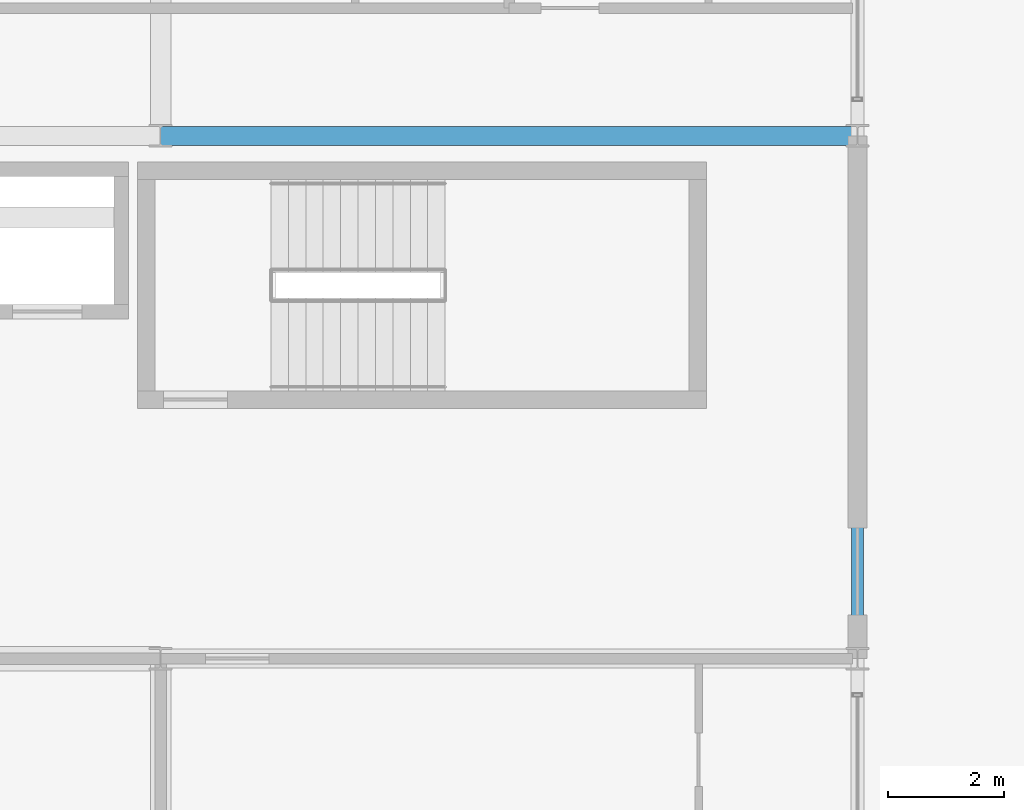
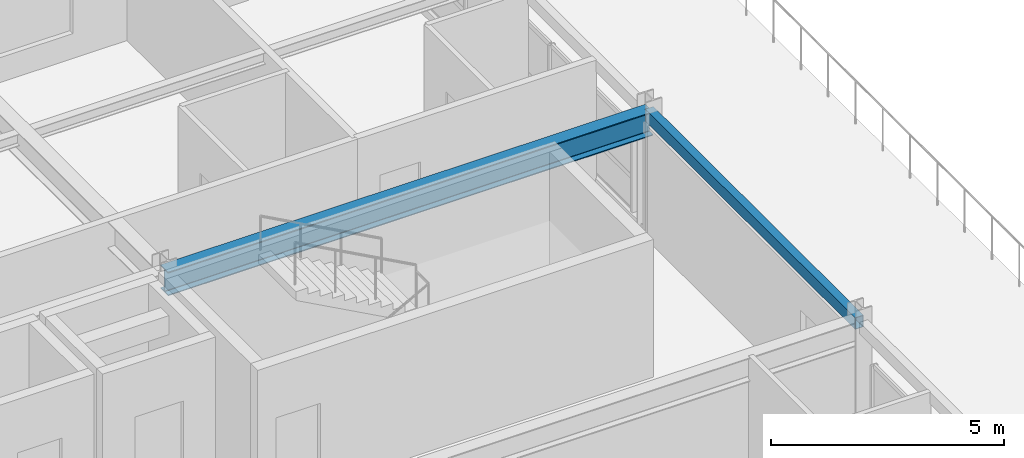
# One storey, part 12 of 24: 2 beams.
"""IFC4 building model written with IfcOpenShell, lengths in metres."""

import ifcopenshell
import ifcopenshell.guid

model = None  # the IFC model being written
_history = None  # IfcOwnerHistory: only IFC2X3 demands one
_inside = {}  # id of a spatial element -> (the spatial element, [elements in it])
_under = {}  # id of a project, library or spatial element -> (it, [spatial elements below it])
_declared = {}  # id of a project -> (the project, [libraries it declares])
_typed = {}  # id of a type object -> (the type object, [elements of that type])
_made_of = {}  # id of a material, layer set ... -> (it, [elements and type objects made of it])


def new_model(schema):
    """Start an empty IFC model of exactly this schema.

    Asked for "IFC4X3", IfcOpenShell would pick the latest addendum, in which some entities
    have other attributes; the version numbers below select the first issue.
    IFC2X3 requires an IfcOwnerHistory on every rooted entity: one is made here for all.
    """
    global model, _history
    if schema == "IFC4X3":
        model = ifcopenshell.file(schema_version=(4, 3, 0, 0))
    else:
        model = ifcopenshell.file(schema=schema)
    _inside.clear()
    _under.clear()
    _declared.clear()
    _typed.clear()
    _made_of.clear()
    _history = None
    if model.schema == "IFC2X3":
        org = make("IfcOrganization", Name="unknown")
        user = make(
            "IfcPersonAndOrganization",
            ThePerson=make("IfcPerson", FamilyName="unknown"),
            TheOrganization=org,
        )
        app = make(
            "IfcApplication",
            ApplicationDeveloper=org,
            Version="unknown",
            ApplicationFullName="unknown",
            ApplicationIdentifier="unknown",
        )
        _history = make(
            "IfcOwnerHistory",
            OwningUser=user,
            OwningApplication=app,
            ChangeAction="ADDED",
            CreationDate=0,
        )
    return model


def make(cls, **values):
    """One entity of the class cls with the attributes given. An attribute that is None is left unset."""
    return model.create_entity(
        cls, **{name: value for name, value in values.items() if value is not None}
    )


def rooted(cls, **values):
    """An entity with a GlobalId (a new one), such as an element, a storey or a relation."""
    return make(cls, GlobalId=ifcopenshell.guid.new(), OwnerHistory=_history, **values)


def si_unit(unit_type, name, prefix=None):
    """IfcSIUnit, for example si_unit("LENGTHUNIT", "METRE", prefix="MILLI")."""
    return make("IfcSIUnit", UnitType=unit_type, Prefix=prefix, Name=name)


def assignment(units):
    """IfcUnitAssignment: the units of a project."""
    return None if units is None else make("IfcUnitAssignment", Units=units)


def point(xyz):
    """IfcCartesianPoint."""
    return None if xyz is None else make("IfcCartesianPoint", Coordinates=xyz)


def direction(xyz):
    """IfcDirection."""
    return None if xyz is None else make("IfcDirection", DirectionRatios=xyz)


def frame(location, z_axis=None, x_axis=None):
    """IfcAxis2Placement3D, a coordinate frame: its origin and axes. An axis left out is left unset."""
    return make(
        "IfcAxis2Placement3D",
        Location=point(location),
        Axis=direction(z_axis),
        RefDirection=direction(x_axis),
    )


def frame_2d(location, x_axis=None):
    """IfcAxis2Placement2D, a coordinate frame in the plane: its origin and x axis."""
    return make(
        "IfcAxis2Placement2D", Location=point(location), RefDirection=direction(x_axis)
    )


def origin():
    """The frame at (0, 0, 0) with its axes left unset."""
    return frame((0.0, 0.0, 0.0))


def origin_2d():
    """The frame at (0, 0) in the plane with its x axis left unset."""
    return frame_2d((0.0, 0.0))


def place(relative_to, where):
    """IfcLocalPlacement: puts the frame where relative to a parent placement (None: the world)."""
    return make(
        "IfcLocalPlacement", PlacementRelTo=relative_to, RelativePlacement=where
    )


def context(
    kind, dimensions, precision=None, world=None, true_north=None, identifier=None
):
    """IfcGeometricRepresentationContext, for example the 3D "Model" context."""
    return make(
        "IfcGeometricRepresentationContext",
        ContextIdentifier=identifier,
        ContextType=kind,
        CoordinateSpaceDimension=dimensions,
        Precision=precision,
        WorldCoordinateSystem=world,
        TrueNorth=true_north,
    )


def subcontext(parent, identifier, kind, view, scale=None):
    """IfcGeometricRepresentationSubContext, for example "Body" below "Model"."""
    return make(
        "IfcGeometricRepresentationSubContext",
        ContextIdentifier=identifier,
        ContextType=kind,
        ParentContext=parent,
        TargetScale=scale,
        TargetView=view,
    )


def project(units=None, contexts=None):
    """IfcProject with its units and contexts."""
    return rooted(
        "IfcProject",
        Name="project",
        RepresentationContexts=contexts,
        UnitsInContext=assignment(units),
    )


def spatial(cls, under=None, at=None, **own):
    """A site, building, storey or space (cls), placed at a placement, below another one or the project."""
    s = rooted(cls, ObjectPlacement=at, **own)
    if under is not None:
        _under.setdefault(under.id(), (under, []))[1].append(s)
    return s


def profile(cls, at=None, kind="AREA", **sizes):
    """A parametric profile (cls). Its sizes go by their IFC names, for example OverallWidth=200.0."""
    return make(cls, ProfileType=kind, Position=at, **sizes)


def hollow_rectangle(**sizes):
    """IfcRectangleHollowProfileDef."""
    return profile("IfcRectangleHollowProfileDef", **sizes)


def i_section(**sizes):
    """IfcIShapeProfileDef."""
    return profile("IfcIShapeProfileDef", **sizes)


def extrude(swept, where, along, depth):
    """IfcExtrudedAreaSolid: the profile swept, set in the frame where, extruded along a direction by depth."""
    return make(
        "IfcExtrudedAreaSolid",
        SweptArea=swept,
        Position=where,
        ExtrudedDirection=direction(along),
        Depth=depth,
    )


def shape(context_of_items, identifier, shape_type, items):
    """IfcShapeRepresentation: the items that make up one representation, for example the "Body"."""
    return make(
        "IfcShapeRepresentation",
        ContextOfItems=context_of_items,
        RepresentationIdentifier=identifier,
        RepresentationType=shape_type,
        Items=items,
    )


def material(Name=None, Category=None):
    """IfcMaterial."""
    return make("IfcMaterial", Name=Name, Category=Category)


def material_profile(
    of_material, cross_section, Name=None, Category=None, Priority=None
):
    """IfcMaterialProfile: a cross section and its material."""
    return make(
        "IfcMaterialProfile",
        Name=Name,
        Material=of_material,
        Profile=cross_section,
        Priority=Priority,
        Category=Category,
    )


def profile_set(profiles, Name=None, composite=None):
    """IfcMaterialProfileSet."""
    return make(
        "IfcMaterialProfileSet",
        Name=Name,
        MaterialProfiles=profiles,
        CompositeProfile=composite,
    )


def made_of(thing, what):
    """Note that an element or type object is made of a material, layer set ...; save() writes the relation."""
    if what is not None:
        _made_of.setdefault(what.id(), (what, []))[1].append(thing)
    return thing


def type_object(cls, material=None, **own):
    """A type object (cls), such as IfcWallType, which elements share."""
    return made_of(rooted(cls, **own), material)


def element(
    cls,
    number,
    at=None,
    inside=None,
    cuts=None,
    type_object=None,
    material=None,
    context=None,
    identifier="Body",
    shape_type=None,
    held_by="IfcProductDefinitionShape",
    body=None,
    shapes=None,
    **own,
):
    """One element of the class cls, such as IfcWall. Its Tag is "e" and its number.

    at: its placement. inside: the storey or other place that contains it. cuts: it is an
    opening in that element (IfcRelVoidsElement). A single representation is given by context,
    identifier, shape_type and body (its items); several are given by shapes. held_by: the class
    of the entity that holds the representations. save() writes the other relations.
    """
    e = rooted(cls, Tag="e%d" % number, ObjectPlacement=at, **own)
    if body is not None:
        shapes = [shape(context, identifier, shape_type, body)]
    if shapes is not None:
        e.Representation = make(held_by, Representations=shapes)
    if inside is not None:
        _inside.setdefault(inside.id(), (inside, []))[1].append(e)
    if cuts is not None:
        rooted(
            "IfcRelVoidsElement", RelatingBuildingElement=cuts, RelatedOpeningElement=e
        )
    if type_object is not None:
        _typed.setdefault(type_object.id(), (type_object, []))[1].append(e)
    return made_of(e, material)


def aggregate(whole, parts):
    """IfcRelAggregates: a whole, such as a stair, and the parts it consists of."""
    return rooted("IfcRelAggregates", RelatingObject=whole, RelatedObjects=parts)


def save(model, path):
    """Write the relations noted so far, then the file.

    IfcRelAggregates (storeys below a building ...), IfcRelContainedInSpatialStructure (elements
    in a storey), IfcRelDefinesByType, IfcRelAssociatesMaterial and IfcRelDeclares: one each for
    every whole, place, type object, material and project.
    """
    for whole, parts in _under.values():
        aggregate(whole, parts)
    for where, things in _inside.values():
        rooted(
            "IfcRelContainedInSpatialStructure",
            RelatedElements=things,
            RelatingStructure=where,
        )
    for kind, things in _typed.values():
        rooted("IfcRelDefinesByType", RelatedObjects=things, RelatingType=kind)
    for what, things in _made_of.values():
        rooted("IfcRelAssociatesMaterial", RelatedObjects=things, RelatingMaterial=what)
    for by, libraries in _declared.values():
        rooted("IfcRelDeclares", RelatingContext=by, RelatedDefinitions=libraries)
    model.write(path)


model = new_model("IFC4")

# Units and contexts
model_context = context("Model", 3, precision=1e-05, world=origin(), true_north=direction((0.0, 1.0)))
body_context = subcontext(model_context, "Body", "Model", "MODEL_VIEW")
ifc_project = project(units=[si_unit("LENGTHUNIT", "METRE"), si_unit("AREAUNIT", "SQUARE_METRE"), si_unit("VOLUMEUNIT", "CUBIC_METRE"), si_unit("PLANEANGLEUNIT", "RADIAN"), si_unit("MASSUNIT", "GRAM", prefix="KILO")], contexts=[model_context])

# Site, building, storey
site_placement = place(None, origin())
site = spatial("IfcSite", under=ifc_project, at=site_placement, CompositionType="ELEMENT")
building_placement = place(site_placement, origin())
building = spatial("IfcBuilding", under=site, at=building_placement, Name="Kaldorvane Square Convention Centre", CompositionType="ELEMENT")
storey_placement = place(building_placement, frame((0.0, 0.0, 60.0)))
storey = spatial("IfcBuildingStorey", under=building, at=storey_placement, Name="L14", CompositionType="ELEMENT", Elevation=60.0)

# Beams
ifc_material_1 = material(Name="Steel ASTM A992 Gr. 50", Category="steel")
ifc_material_profile_1 = material_profile(ifc_material_1, i_section(OverallWidth=0.326507568359375, OverallDepth=0.621795654296875, WebThickness=0.0153961181640625, FlangeThickness=0.0243988037109375, FilletRadius=0.0126953125, at=origin_2d()), Name="W24X131")
ifc_profile_set_1 = profile_set([ifc_material_profile_1], Name="Steel ASTM A992 Gr. 50")
beam_type_1 = type_object("IfcBeamType", Name="BM-GR-W24X131", PredefinedType="BEAM", material=ifc_profile_set_1)
beam_1_placement = place(storey_placement, frame((66.0, 105.0, 2.97509765625), z_axis=(1.0, 0.0, 0.0), x_axis=(0.0, 1.0, 0.0)))
element("IfcBeam", 1, at=beam_1_placement, inside=storey, type_object=beam_type_1, Name="Primary Girder (L14)", PredefinedType="BEAM", context=body_context, shape_type="SweptSolid", body=[
    extrude(i_section(OverallWidth=0.326507568359375, OverallDepth=0.621795654296875, WebThickness=0.0153961181640625, FlangeThickness=0.0243988037109375, FilletRadius=0.0126953125, at=origin_2d()), origin(), (0.0, 0.0, 1.0), 12.0),
])
ifc_material_2 = material(Name="Steel ASTM A500 Gr. C", Category="steel")
ifc_material_profile_2 = material_profile(ifc_material_2, hollow_rectangle(XDim=0.2032012939453125, YDim=0.3047943115234375, WallThickness=0.0088958740234375, at=origin_2d()), Name="HSS12X8X3/8")
ifc_profile_set_2 = profile_set([ifc_material_profile_2], Name="Steel ASTM A500 Gr. C")
beam_type_2 = type_object("IfcBeamType", Name="BM-SP-HSS12", PredefinedType="SPANDREL", material=ifc_profile_set_2)
beam_2_placement = place(storey_placement, frame((78.0, 96.0, 3.13360595703125), z_axis=(0.0, 1.0, 0.0), x_axis=(-1.0, 0.0, 0.0)))
element("IfcBeam", 2, at=beam_2_placement, inside=storey, type_object=beam_type_2, Name="End Spandrel (L14)", PredefinedType="SPANDREL", context=body_context, shape_type="SweptSolid", body=[
    extrude(hollow_rectangle(XDim=0.2032012939453125, YDim=0.3047943115234375, WallThickness=0.0088958740234375, at=origin_2d()), origin(), (0.0, 0.0, 1.0), 9.0),
])

save(model, "model.ifc")
